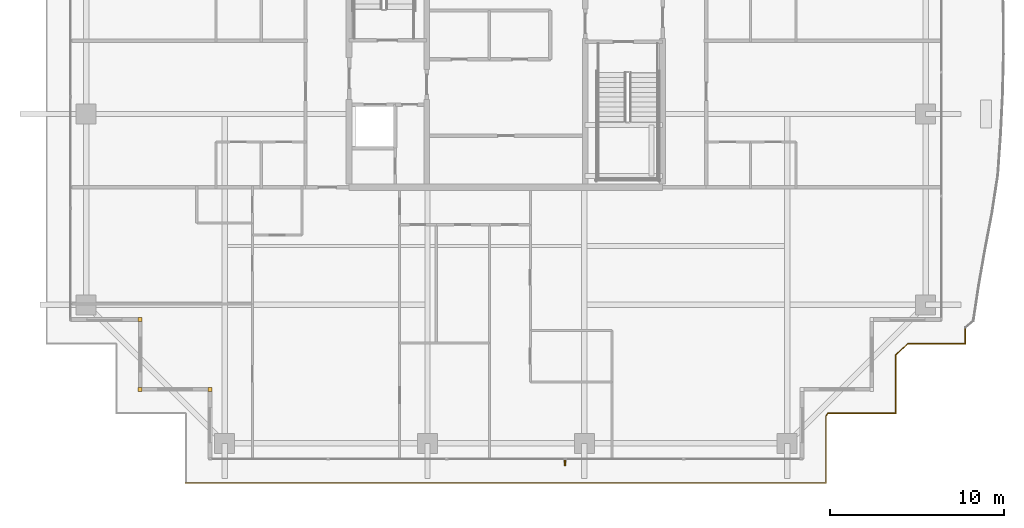
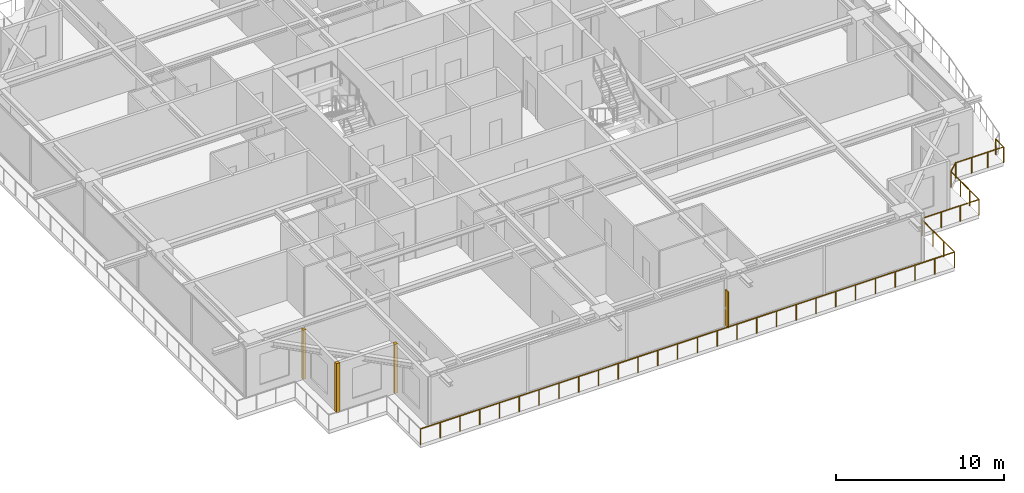
# One storey, part 33 of 38: 3 coverings, 1 railing, 1 shading device.
"""IFC4 building model written with IfcOpenShell, lengths in metres."""

import ifcopenshell
import ifcopenshell.guid

model = None  # the IFC model being written
_history = None  # IfcOwnerHistory: only IFC2X3 demands one
_inside = {}  # id of a spatial element -> (the spatial element, [elements in it])
_under = {}  # id of a project, library or spatial element -> (it, [spatial elements below it])
_declared = {}  # id of a project -> (the project, [libraries it declares])
_typed = {}  # id of a type object -> (the type object, [elements of that type])
_made_of = {}  # id of a material, layer set ... -> (it, [elements and type objects made of it])


def new_model(schema):
    """Start an empty IFC model of exactly this schema.

    Asked for "IFC4X3", IfcOpenShell would pick the latest addendum, in which some entities
    have other attributes; the version numbers below select the first issue.
    IFC2X3 requires an IfcOwnerHistory on every rooted entity: one is made here for all.
    """
    global model, _history
    if schema == "IFC4X3":
        model = ifcopenshell.file(schema_version=(4, 3, 0, 0))
    else:
        model = ifcopenshell.file(schema=schema)
    _inside.clear()
    _under.clear()
    _declared.clear()
    _typed.clear()
    _made_of.clear()
    _history = None
    if model.schema == "IFC2X3":
        org = make("IfcOrganization", Name="unknown")
        user = make(
            "IfcPersonAndOrganization",
            ThePerson=make("IfcPerson", FamilyName="unknown"),
            TheOrganization=org,
        )
        app = make(
            "IfcApplication",
            ApplicationDeveloper=org,
            Version="unknown",
            ApplicationFullName="unknown",
            ApplicationIdentifier="unknown",
        )
        _history = make(
            "IfcOwnerHistory",
            OwningUser=user,
            OwningApplication=app,
            ChangeAction="ADDED",
            CreationDate=0,
        )
    return model


def make(cls, **values):
    """One entity of the class cls with the attributes given. An attribute that is None is left unset."""
    return model.create_entity(
        cls, **{name: value for name, value in values.items() if value is not None}
    )


def rooted(cls, **values):
    """An entity with a GlobalId (a new one), such as an element, a storey or a relation."""
    return make(cls, GlobalId=ifcopenshell.guid.new(), OwnerHistory=_history, **values)


def si_unit(unit_type, name, prefix=None):
    """IfcSIUnit, for example si_unit("LENGTHUNIT", "METRE", prefix="MILLI")."""
    return make("IfcSIUnit", UnitType=unit_type, Prefix=prefix, Name=name)


def assignment(units):
    """IfcUnitAssignment: the units of a project."""
    return None if units is None else make("IfcUnitAssignment", Units=units)


def point(xyz):
    """IfcCartesianPoint."""
    return None if xyz is None else make("IfcCartesianPoint", Coordinates=xyz)


def direction(xyz):
    """IfcDirection."""
    return None if xyz is None else make("IfcDirection", DirectionRatios=xyz)


def frame(location, z_axis=None, x_axis=None):
    """IfcAxis2Placement3D, a coordinate frame: its origin and axes. An axis left out is left unset."""
    return make(
        "IfcAxis2Placement3D",
        Location=point(location),
        Axis=direction(z_axis),
        RefDirection=direction(x_axis),
    )


def frame_2d(location, x_axis=None):
    """IfcAxis2Placement2D, a coordinate frame in the plane: its origin and x axis."""
    return make(
        "IfcAxis2Placement2D", Location=point(location), RefDirection=direction(x_axis)
    )


def origin():
    """The frame at (0, 0, 0) with its axes left unset."""
    return frame((0.0, 0.0, 0.0))


def origin_2d():
    """The frame at (0, 0) in the plane with its x axis left unset."""
    return frame_2d((0.0, 0.0))


def place(relative_to, where):
    """IfcLocalPlacement: puts the frame where relative to a parent placement (None: the world)."""
    return make(
        "IfcLocalPlacement", PlacementRelTo=relative_to, RelativePlacement=where
    )


def context(
    kind, dimensions, precision=None, world=None, true_north=None, identifier=None
):
    """IfcGeometricRepresentationContext, for example the 3D "Model" context."""
    return make(
        "IfcGeometricRepresentationContext",
        ContextIdentifier=identifier,
        ContextType=kind,
        CoordinateSpaceDimension=dimensions,
        Precision=precision,
        WorldCoordinateSystem=world,
        TrueNorth=true_north,
    )


def subcontext(parent, identifier, kind, view, scale=None):
    """IfcGeometricRepresentationSubContext, for example "Body" below "Model"."""
    return make(
        "IfcGeometricRepresentationSubContext",
        ContextIdentifier=identifier,
        ContextType=kind,
        ParentContext=parent,
        TargetScale=scale,
        TargetView=view,
    )


def project(units=None, contexts=None):
    """IfcProject with its units and contexts."""
    return rooted(
        "IfcProject",
        Name="project",
        RepresentationContexts=contexts,
        UnitsInContext=assignment(units),
    )


def spatial(cls, under=None, at=None, **own):
    """A site, building, storey or space (cls), placed at a placement, below another one or the project."""
    s = rooted(cls, ObjectPlacement=at, **own)
    if under is not None:
        _under.setdefault(under.id(), (under, []))[1].append(s)
    return s


def profile(cls, at=None, kind="AREA", **sizes):
    """A parametric profile (cls). Its sizes go by their IFC names, for example OverallWidth=200.0."""
    return make(cls, ProfileType=kind, Position=at, **sizes)


def rectangle(**sizes):
    """IfcRectangleProfileDef."""
    return profile("IfcRectangleProfileDef", **sizes)


def circle(**sizes):
    """IfcCircleProfileDef."""
    return profile("IfcCircleProfileDef", **sizes)


def extrude(swept, where, along, depth):
    """IfcExtrudedAreaSolid: the profile swept, set in the frame where, extruded along a direction by depth."""
    return make(
        "IfcExtrudedAreaSolid",
        SweptArea=swept,
        Position=where,
        ExtrudedDirection=direction(along),
        Depth=depth,
    )


def shape(context_of_items, identifier, shape_type, items):
    """IfcShapeRepresentation: the items that make up one representation, for example the "Body"."""
    return make(
        "IfcShapeRepresentation",
        ContextOfItems=context_of_items,
        RepresentationIdentifier=identifier,
        RepresentationType=shape_type,
        Items=items,
    )


def source(mapping_origin, context_of_items, identifier, shape_type, items):
    """IfcRepresentationMap: a shape defined once, which mapped items show again and again."""
    return make(
        "IfcRepresentationMap",
        MappingOrigin=mapping_origin,
        MappedRepresentation=shape(context_of_items, identifier, shape_type, items),
    )


def transform(
    local_origin,
    x_axis=None,
    y_axis=None,
    z_axis=None,
    scale=None,
    scale2=None,
    scale3=None,
    uniform=True,
):
    """IfcCartesianTransformationOperator3D, or its non-uniform kind. x_axis, y_axis, z_axis: its Axis1, 2, 3."""
    if uniform:
        return make(
            "IfcCartesianTransformationOperator3D",
            Axis1=direction(x_axis),
            Axis2=direction(y_axis),
            LocalOrigin=point(local_origin),
            Scale=scale,
            Axis3=direction(z_axis),
        )
    return make(
        "IfcCartesianTransformationOperator3DnonUniform",
        Axis1=direction(x_axis),
        Axis2=direction(y_axis),
        LocalOrigin=point(local_origin),
        Scale=scale,
        Axis3=direction(z_axis),
        Scale2=scale2,
        Scale3=scale3,
    )


def mapped(mapping_source, mapping_target):
    """IfcMappedItem: shows the shape of a source again, moved by a transform."""
    return make(
        "IfcMappedItem", MappingSource=mapping_source, MappingTarget=mapping_target
    )


def material(Name=None, Category=None):
    """IfcMaterial."""
    return make("IfcMaterial", Name=Name, Category=Category)


def layer(
    of_material, thickness, ventilated=None, Name=None, Category=None, Priority=None
):
    """IfcMaterialLayer: one layer of a wall or slab, of a material (None: an air gap)."""
    return make(
        "IfcMaterialLayer",
        Material=of_material,
        LayerThickness=thickness,
        IsVentilated=ventilated,
        Name=Name,
        Category=Category,
        Priority=Priority,
    )


def layer_set(layers, Name=None):
    """IfcMaterialLayerSet."""
    return make("IfcMaterialLayerSet", MaterialLayers=layers, LayerSetName=Name)


def made_of(thing, what):
    """Note that an element or type object is made of a material, layer set ...; save() writes the relation."""
    if what is not None:
        _made_of.setdefault(what.id(), (what, []))[1].append(thing)
    return thing


def type_object(cls, material=None, **own):
    """A type object (cls), such as IfcWallType, which elements share."""
    return made_of(rooted(cls, **own), material)


def element(
    cls,
    number,
    at=None,
    inside=None,
    cuts=None,
    type_object=None,
    material=None,
    context=None,
    identifier="Body",
    shape_type=None,
    held_by="IfcProductDefinitionShape",
    body=None,
    shapes=None,
    **own,
):
    """One element of the class cls, such as IfcWall. Its Tag is "e" and its number.

    at: its placement. inside: the storey or other place that contains it. cuts: it is an
    opening in that element (IfcRelVoidsElement). A single representation is given by context,
    identifier, shape_type and body (its items); several are given by shapes. held_by: the class
    of the entity that holds the representations. save() writes the other relations.
    """
    e = rooted(cls, Tag="e%d" % number, ObjectPlacement=at, **own)
    if body is not None:
        shapes = [shape(context, identifier, shape_type, body)]
    if shapes is not None:
        e.Representation = make(held_by, Representations=shapes)
    if inside is not None:
        _inside.setdefault(inside.id(), (inside, []))[1].append(e)
    if cuts is not None:
        rooted(
            "IfcRelVoidsElement", RelatingBuildingElement=cuts, RelatedOpeningElement=e
        )
    if type_object is not None:
        _typed.setdefault(type_object.id(), (type_object, []))[1].append(e)
    return made_of(e, material)


def aggregate(whole, parts):
    """IfcRelAggregates: a whole, such as a stair, and the parts it consists of."""
    return rooted("IfcRelAggregates", RelatingObject=whole, RelatedObjects=parts)


def save(model, path):
    """Write the relations noted so far, then the file.

    IfcRelAggregates (storeys below a building ...), IfcRelContainedInSpatialStructure (elements
    in a storey), IfcRelDefinesByType, IfcRelAssociatesMaterial and IfcRelDeclares: one each for
    every whole, place, type object, material and project.
    """
    for whole, parts in _under.values():
        aggregate(whole, parts)
    for where, things in _inside.values():
        rooted(
            "IfcRelContainedInSpatialStructure",
            RelatedElements=things,
            RelatingStructure=where,
        )
    for kind, things in _typed.values():
        rooted("IfcRelDefinesByType", RelatedObjects=things, RelatingType=kind)
    for what, things in _made_of.values():
        rooted("IfcRelAssociatesMaterial", RelatedObjects=things, RelatingMaterial=what)
    for by, libraries in _declared.values():
        rooted("IfcRelDeclares", RelatingContext=by, RelatedDefinitions=libraries)
    model.write(path)


model = new_model("IFC4")

# Units and contexts
model_context = context("Model", 3, precision=1e-05, world=origin(), true_north=direction((0.0, 1.0)))
body_context = subcontext(model_context, "Body", "Model", "MODEL_VIEW")
ifc_project = project(units=[si_unit("LENGTHUNIT", "METRE"), si_unit("AREAUNIT", "SQUARE_METRE"), si_unit("VOLUMEUNIT", "CUBIC_METRE"), si_unit("PLANEANGLEUNIT", "RADIAN"), si_unit("MASSUNIT", "GRAM", prefix="KILO")], contexts=[model_context])

# Site, building, storey
site_placement = place(None, origin())
site = spatial("IfcSite", under=ifc_project, at=site_placement, CompositionType="ELEMENT")
building_placement = place(site_placement, origin())
building = spatial("IfcBuilding", under=site, at=building_placement, Name="Serunith Strait Residences", CompositionType="ELEMENT")
storey_placement = place(building_placement, frame((0.0, 0.0, 264.35009765625)))
storey = spatial("IfcBuildingStorey", under=building, at=storey_placement, Name="L66", CompositionType="ELEMENT", Elevation=264.35009765625)

# Railing
ifc_material_1 = material(Name="Stainless Steel & Laminated Glass Balustrade", Category="steel")
railing_type = type_object("IfcRailingType", Name="RLG-BALC-1150", PredefinedType="BALUSTRADE", material=ifc_material_1)
railing_placement = place(storey_placement, frame((58.780029296875, 8.75634765625, -0.050048828125)))
element("IfcRailing", 1, at=railing_placement, inside=storey, type_object=railing_type, Name="L66 Swirling Balcony Perimeter Balustrade 7", PredefinedType="BALUSTRADE", context=body_context, shape_type="SweptSolid", body=[
    extrude(circle(Radius=0.02392578125, at=origin_2d()), frame((0.0, -0.001953125, 1.1259765625), z_axis=(0.0, -1.0, 0.0), x_axis=(1.0, 0.0, 0.0)), (0.0, 0.0, 1.0), 0.932373046875),
    extrude(circle(Radius=0.02392578125, at=origin_2d()), frame((-0.001953125, -0.936279296875, 1.1259765625), z_axis=(-1.0, 0.0, 0.0), x_axis=(0.0, -1.0, 0.0)), (0.0, 0.0, 1.0), 3.29638671875),
    extrude(circle(Radius=0.02392578125, at=origin_2d()), frame((-3.3017578125, -0.937744140625, 1.1259765625), z_axis=(-0.731301293775, -0.682054556266, 0.0), x_axis=(0.682054556266, -0.731301293775, 0.0)), (0.0, 0.0, 1.0), 0.952880859375),
    extrude(circle(Radius=0.02392578125, at=origin_2d()), frame((-4.0, -1.5908203125, 1.1259765625), z_axis=(0.0, -1.0, 0.0), x_axis=(1.0, 0.0, 0.0)), (0.0, 0.0, 1.0), 3.343505859375),
    extrude(circle(Radius=0.02392578125, at=origin_2d()), frame((-4.001953125, -4.936279296875, 1.1259765625), z_axis=(-1.0, 0.0, 0.0), x_axis=(0.0, -1.0, 0.0)), (0.0, 0.0, 1.0), 3.89501953125),
    extrude(circle(Radius=0.02392578125, at=origin_2d()), frame((-7.89990234375, -4.93798828125, 1.1259765625), z_axis=(-0.546751112301, -0.83729518164, 0.0), x_axis=(0.83729518164, -0.546751112301, 0.0)), (0.0, 0.0, 1.0), 0.180908203125),
    extrude(circle(Radius=0.02392578125, at=origin_2d()), frame((-8.0, -5.093017578125, 1.1259765625), z_axis=(0.0, -1.0, 0.0), x_axis=(1.0, 0.0, 0.0)), (0.0, 0.0, 1.0), 3.84130859375),
    extrude(circle(Radius=0.02392578125, at=origin_2d()), frame((-8.001953125, -8.936279296875, 1.1259765625), z_axis=(-1.0, 0.0, 0.0), x_axis=(0.0, -1.0, 0.0)), (0.0, 0.0, 1.0), 36.756103515625),
    extrude(circle(Radius=0.02099609375, at=origin_2d()), origin(), (0.0, 0.0, 1.0), 1.099853515625),
    extrude(circle(Radius=0.02099609375, at=origin_2d()), frame((0.0, -0.936279296875, 0.0)), (0.0, 0.0, 1.0), 1.099853515625),
    extrude(circle(Radius=0.02099609375, at=origin_2d()), frame((-1.10009765625, -0.936279296875, 0.0)), (0.0, 0.0, 1.0), 1.099853515625),
    extrude(circle(Radius=0.02099609375, at=origin_2d()), frame((-2.2001953125, -0.936279296875, 0.0)), (0.0, 0.0, 1.0), 1.099853515625),
    extrude(circle(Radius=0.02099609375, at=origin_2d()), frame((-3.30029296875, -0.936279296875, 0.0)), (0.0, 0.0, 1.0), 1.099853515625),
    extrude(circle(Radius=0.02099609375, at=origin_2d()), frame((-4.0, -1.5888671875, 0.0)), (0.0, 0.0, 1.0), 1.099853515625),
    extrude(circle(Radius=0.02099609375, at=origin_2d()), frame((-4.0, -2.70458984375, 0.0)), (0.0, 0.0, 1.0), 1.099853515625),
    extrude(circle(Radius=0.02099609375, at=origin_2d()), frame((-4.0, -3.820556640625, 0.0)), (0.0, 0.0, 1.0), 1.099853515625),
    extrude(circle(Radius=0.02099609375, at=origin_2d()), frame((-4.0, -4.936279296875, 0.0)), (0.0, 0.0, 1.0), 1.099853515625),
    extrude(circle(Radius=0.02099609375, at=origin_2d()), frame((-5.299560546875, -4.936279296875, 0.0)), (0.0, 0.0, 1.0), 1.099853515625),
    extrude(circle(Radius=0.02099609375, at=origin_2d()), frame((-6.599365234375, -4.936279296875, 0.0)), (0.0, 0.0, 1.0), 1.099853515625),
    extrude(circle(Radius=0.02099609375, at=origin_2d()), frame((-7.89892578125, -4.936279296875, 0.0)), (0.0, 0.0, 1.0), 1.099853515625),
    extrude(circle(Radius=0.02099609375, at=origin_2d()), frame((-8.0, -5.091064453125, 0.0)), (0.0, 0.0, 1.0), 1.099853515625),
    extrude(circle(Radius=0.02099609375, at=origin_2d()), frame((-8.0, -6.372802734375, 0.0)), (0.0, 0.0, 1.0), 1.099853515625),
    extrude(circle(Radius=0.02099609375, at=origin_2d()), frame((-8.0, -7.654541015625, 0.0)), (0.0, 0.0, 1.0), 1.099853515625),
    extrude(circle(Radius=0.02099609375, at=origin_2d()), frame((-8.0, -8.936279296875, 0.0)), (0.0, 0.0, 1.0), 1.099853515625),
    extrude(circle(Radius=0.02099609375, at=origin_2d()), frame((-9.361572265625, -8.936279296875, 0.0)), (0.0, 0.0, 1.0), 1.099853515625),
    extrude(circle(Radius=0.02099609375, at=origin_2d()), frame((-10.722900390625, -8.936279296875, 0.0)), (0.0, 0.0, 1.0), 1.099853515625),
    extrude(circle(Radius=0.02099609375, at=origin_2d()), frame((-12.08447265625, -8.936279296875, 0.0)), (0.0, 0.0, 1.0), 1.099853515625),
    extrude(circle(Radius=0.02099609375, at=origin_2d()), frame((-13.446044921875, -8.936279296875, 0.0)), (0.0, 0.0, 1.0), 1.099853515625),
    extrude(circle(Radius=0.02099609375, at=origin_2d()), frame((-14.807373046875, -8.936279296875, 0.0)), (0.0, 0.0, 1.0), 1.099853515625),
    extrude(circle(Radius=0.02099609375, at=origin_2d()), frame((-16.1689453125, -8.936279296875, 0.0)), (0.0, 0.0, 1.0), 1.099853515625),
    extrude(circle(Radius=0.02099609375, at=origin_2d()), frame((-17.5302734375, -8.936279296875, 0.0)), (0.0, 0.0, 1.0), 1.099853515625),
    extrude(circle(Radius=0.02099609375, at=origin_2d()), frame((-18.891845703125, -8.936279296875, 0.0)), (0.0, 0.0, 1.0), 1.099853515625),
    extrude(circle(Radius=0.02099609375, at=origin_2d()), frame((-20.25341796875, -8.936279296875, 0.0)), (0.0, 0.0, 1.0), 1.099853515625),
    extrude(circle(Radius=0.02099609375, at=origin_2d()), frame((-21.61474609375, -8.936279296875, 0.0)), (0.0, 0.0, 1.0), 1.099853515625),
    extrude(circle(Radius=0.02099609375, at=origin_2d()), frame((-22.976318359375, -8.936279296875, 0.0)), (0.0, 0.0, 1.0), 1.099853515625),
    extrude(circle(Radius=0.02099609375, at=origin_2d()), frame((-24.337890625, -8.936279296875, 0.0)), (0.0, 0.0, 1.0), 1.099853515625),
    extrude(circle(Radius=0.02099609375, at=origin_2d()), frame((-25.69921875, -8.936279296875, 0.0)), (0.0, 0.0, 1.0), 1.099853515625),
    extrude(circle(Radius=0.02099609375, at=origin_2d()), frame((-27.060791015625, -8.936279296875, 0.0)), (0.0, 0.0, 1.0), 1.099853515625),
    extrude(circle(Radius=0.02099609375, at=origin_2d()), frame((-28.422119140625, -8.936279296875, 0.0)), (0.0, 0.0, 1.0), 1.099853515625),
    extrude(circle(Radius=0.02099609375, at=origin_2d()), frame((-29.78369140625, -8.936279296875, 0.0)), (0.0, 0.0, 1.0), 1.099853515625),
    extrude(circle(Radius=0.02099609375, at=origin_2d()), frame((-31.145263671875, -8.936279296875, 0.0)), (0.0, 0.0, 1.0), 1.099853515625),
    extrude(circle(Radius=0.02099609375, at=origin_2d()), frame((-32.506591796875, -8.936279296875, 0.0)), (0.0, 0.0, 1.0), 1.099853515625),
    extrude(circle(Radius=0.02099609375, at=origin_2d()), frame((-33.8681640625, -8.936279296875, 0.0)), (0.0, 0.0, 1.0), 1.099853515625),
    extrude(circle(Radius=0.02099609375, at=origin_2d()), frame((-35.229736328125, -8.936279296875, 0.0)), (0.0, 0.0, 1.0), 1.099853515625),
    extrude(circle(Radius=0.02099609375, at=origin_2d()), frame((-36.591064453125, -8.936279296875, 0.0)), (0.0, 0.0, 1.0), 1.099853515625),
    extrude(circle(Radius=0.02099609375, at=origin_2d()), frame((-37.95263671875, -8.936279296875, 0.0)), (0.0, 0.0, 1.0), 1.099853515625),
    extrude(circle(Radius=0.02099609375, at=origin_2d()), frame((-39.31396484375, -8.936279296875, 0.0)), (0.0, 0.0, 1.0), 1.099853515625),
    extrude(circle(Radius=0.02099609375, at=origin_2d()), frame((-40.675537109375, -8.936279296875, 0.0)), (0.0, 0.0, 1.0), 1.099853515625),
    extrude(circle(Radius=0.02099609375, at=origin_2d()), frame((-42.037109375, -8.936279296875, 0.0)), (0.0, 0.0, 1.0), 1.099853515625),
    extrude(circle(Radius=0.02099609375, at=origin_2d()), frame((-43.3984375, -8.936279296875, 0.0)), (0.0, 0.0, 1.0), 1.099853515625),
    extrude(circle(Radius=0.02099609375, at=origin_2d()), frame((-44.760009765625, -8.936279296875, 0.0)), (0.0, 0.0, 1.0), 1.099853515625),
])

# Shading device
ifc_material_2 = material(Name="Pale-Champagne Perforated Aluminium Fin", Category="aluminium")
shading_device_type = type_object("IfcShadingDeviceType", Name="SHD-DIAG-FIN", PredefinedType="AWNING", material=ifc_material_2)
shared_shape_1 = source(origin(), body_context, "Body", "SweptSolid", [
    extrude(rectangle(XDim=0.080078125, YDim=0.35009765625, at=origin_2d()), origin(), (0.0, 0.0, 1.0), 2.60009765625),
])
shading_device_placement = place(storey_placement, frame((35.800048828125, 0.97998046875, 0.199951171875), z_axis=(0.0, 0.0, 1.0), x_axis=(1.0, 0.0, 0.0)))
element("IfcShadingDevice", 2, at=shading_device_placement, inside=storey, type_object=shading_device_type, Name="L66 Diagonal Rhythm Solar Fin S", PredefinedType="AWNING", context=body_context, shape_type="MappedRepresentation", body=[
    mapped(shared_shape_1, transform((0.0, 0.0, 0.0), scale=1.0)),
])

# Coverings
ifc_material_3 = material(Name="Pale-Champagne Anodised Aluminium", Category="aluminium")
ifc_layer = layer(ifc_material_3, 0.219970703125, Name="Pale-Champagne Anodised Aluminium")
ifc_layer_set = layer_set([ifc_layer], Name="Pale-Champagne Anodised Aluminium")
covering_type = type_object("IfcCoveringType", Name="COV-CORN-TRIM", PredefinedType="CLADDING", material=ifc_layer_set)
shared_shape_2 = source(origin(), body_context, "Body", "SweptSolid", [
    extrude(rectangle(XDim=0.221923828125, YDim=0.221923828125, at=origin_2d()), origin(), (0.0, 0.0, 1.0), 3.574951171875),
])
for number, where, z_axis, x_axis, name in (
    (3, (11.39990234375, 9.199951171875, 0.0), (0.0, 0.0, 1.0), (1.0, 0.0, 0.0), "L66 Girih Serrated Corner Trim Post 17"),
    (4, (11.39990234375, 5.199951171875, 0.0), (0.0, 0.0, 1.0), (1.0, 0.0, 0.0), "L66 Girih Serrated Corner Trim Post 18"),
    (5, (15.39990234375, 5.199951171875, 0.0), (0.0, 0.0, 1.0), (1.0, 0.0, 0.0), "L66 Girih Serrated Corner Trim Post 19"),
):
    element("IfcCovering", number, at=place(storey_placement, frame(where, z_axis=z_axis, x_axis=x_axis)), inside=storey, type_object=covering_type, Name=name, PredefinedType="CLADDING", context=body_context, shape_type="MappedRepresentation", body=[
        mapped(shared_shape_2, transform((0.0, 0.0, 0.0), scale=1.0)),
    ])

save(model, "model.ifc")
